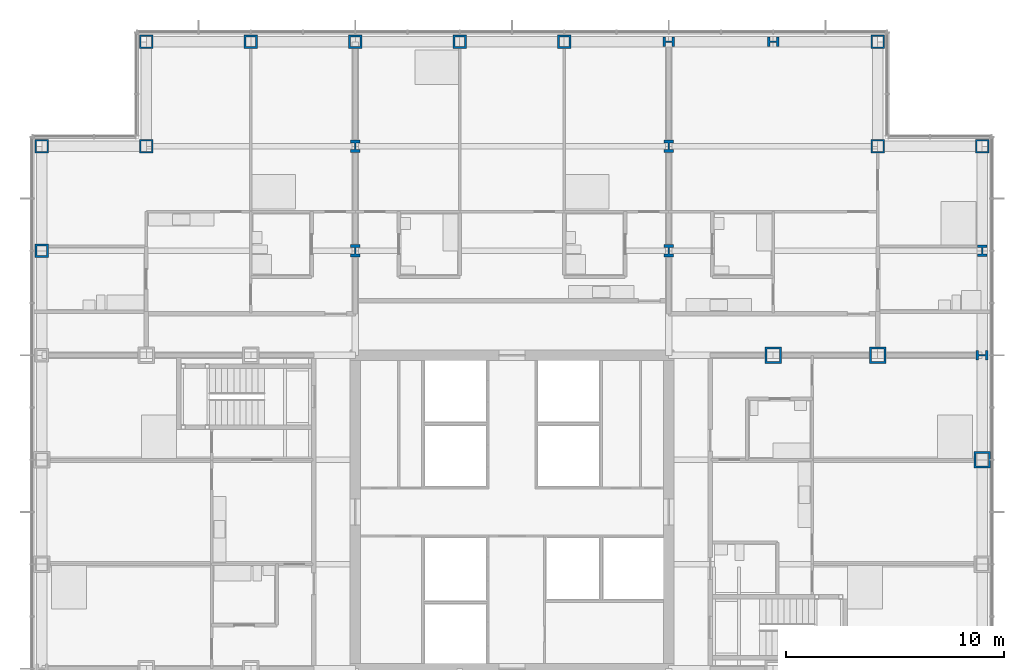
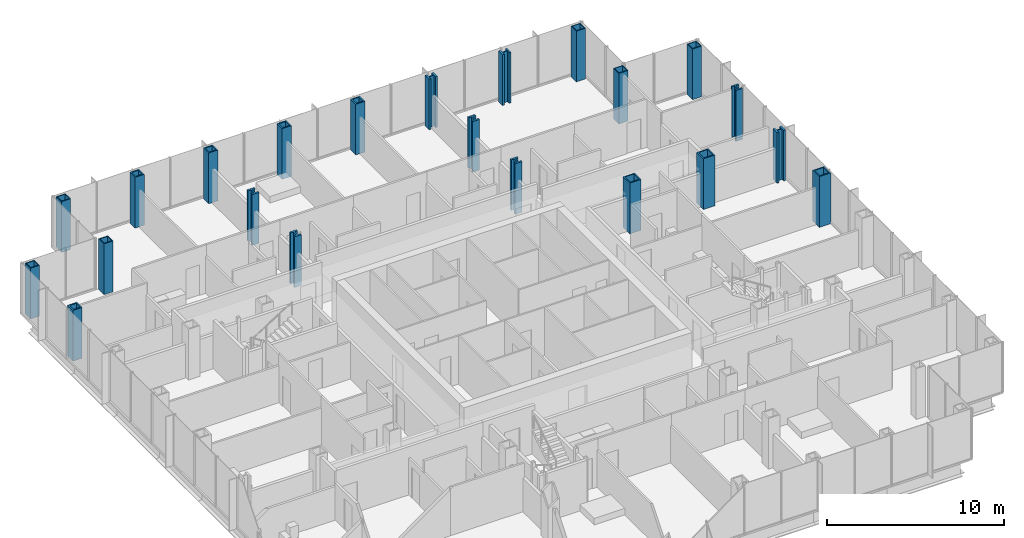
# One storey, part 5 of 21: 22 columns.
"""IFC4 building model written with IfcOpenShell, lengths in metres."""

from ifc_helpers import new_model, si_unit, direction, frame, origin, origin_2d, place, context, subcontext, project, spatial, hollow_rectangle, i_section, extrude, material, material_profile, profile_set, type_object, element, save


model = new_model("IFC4")

# Units and contexts
model_context = context("Model", 3, precision=1e-05, world=origin(), true_north=direction((0.0, 1.0)))
body_context = subcontext(model_context, "Body", "Model", "MODEL_VIEW")
ifc_project = project(units=[si_unit("LENGTHUNIT", "METRE"), si_unit("AREAUNIT", "SQUARE_METRE"), si_unit("VOLUMEUNIT", "CUBIC_METRE"), si_unit("PLANEANGLEUNIT", "RADIAN"), si_unit("MASSUNIT", "GRAM", prefix="KILO")], contexts=[model_context])

# Site, building, storey
site_placement = place(None, origin())
site = spatial("IfcSite", under=ifc_project, at=site_placement, CompositionType="ELEMENT")
building_placement = place(site_placement, origin())
building = spatial("IfcBuilding", under=site, at=building_placement, Name="Kvirike Care Tower", CompositionType="ELEMENT")
storey_placement = place(building_placement, frame((0.0, 0.0, 58.5)))
storey = spatial("IfcBuildingStorey", under=building, at=storey_placement, Name="L15", CompositionType="ELEMENT", Elevation=58.5)

# Columns
ifc_material_1 = material(Name="Steel S460", Category="steel")
ifc_material_profile_1 = material_profile(ifc_material_1, hollow_rectangle(XDim=0.60009765625, YDim=0.60009765625, WallThickness=0.050048828125, at=origin_2d()), Name="BX 600x600x50")
ifc_profile_set_1 = profile_set([ifc_material_profile_1], Name="Steel S460")
column_type_1 = type_object("IfcColumnType", Name="COLUMN BX 600x600x50", PredefinedType="COLUMN", material=ifc_profile_set_1)
for number, where, z_axis, x_axis, name in (
    (1, (38.39990234375, 52.800048828125, 0.0), (0.0, 0.0, 1.0), (0.0, 1.0, 0.0), "Column M11 L15"),
    (2, (38.39990234375, 57.60009765625, 0.0), (0.0, 0.0, 1.0), (0.0, 1.0, 0.0), "Column N11 L15"),
    (3, (43.199951171875, 52.800048828125, 0.0), (0.0, 0.0, 1.0), (0.0, 1.0, 0.0), "Column M12 L15"),
):
    element("IfcColumn", number, at=place(storey_placement, frame(where, z_axis=z_axis, x_axis=x_axis)), inside=storey, type_object=column_type_1, Name=name, PredefinedType="COLUMN", context=body_context, shape_type="SweptSolid", body=[
        extrude(hollow_rectangle(XDim=0.60009765625, YDim=0.60009765625, WallThickness=0.050048828125, at=origin_2d()), origin(), (0.0, 0.0, 1.0), 3.5),
    ])
ifc_material_2 = material(Name="Steel S460", Category="steel")
ifc_material_profile_2 = material_profile(ifc_material_2, hollow_rectangle(XDim=0.60009765625, YDim=0.60009765625, WallThickness=0.06005859375, at=origin_2d()), Name="BX 600x600x60")
ifc_profile_set_2 = profile_set([ifc_material_profile_2], Name="Steel S460")
column_type_2 = type_object("IfcColumnType", Name="COLUMN BX 600x600x60", PredefinedType="COLUMN", material=ifc_profile_set_2)
for number, where, z_axis, x_axis, name in (
    (4, (0.0, 52.800048828125, 0.0), (0.0, 0.0, 1.0), (0.0, 1.0, 0.0), "Column M3 L15"),
    (5, (4.800048828125, 52.800048828125, 0.0), (0.0, 0.0, 1.0), (0.0, 1.0, 0.0), "Column M4 L15"),
    (6, (4.800048828125, 57.60009765625, 0.0), (0.0, 0.0, 1.0), (0.0, 1.0, 0.0), "Column N4 L15"),
):
    element("IfcColumn", number, at=place(storey_placement, frame(where, z_axis=z_axis, x_axis=x_axis)), inside=storey, type_object=column_type_2, Name=name, PredefinedType="COLUMN", context=body_context, shape_type="SweptSolid", body=[
        extrude(hollow_rectangle(XDim=0.60009765625, YDim=0.60009765625, WallThickness=0.06005859375, at=origin_2d()), origin(), (0.0, 0.0, 1.0), 3.5),
    ])
ifc_material_3 = material(Name="Steel S460", Category="steel")
ifc_material_profile_3 = material_profile(ifc_material_3, hollow_rectangle(XDim=0.60009765625, YDim=0.60009765625, WallThickness=0.080078125, at=origin_2d()), Name="BX 600x600x80")
ifc_profile_set_3 = profile_set([ifc_material_profile_3], Name="Steel S460")
column_type_3 = type_object("IfcColumnType", Name="COLUMN BX 600x600x80", PredefinedType="COLUMN", material=ifc_profile_set_3)
for number, where, z_axis, x_axis, name in (
    (7, (0.0, 48.0, 0.0), (0.0, 0.0, 1.0), (1.0, 0.0, 0.0), "Column L3 L15"),
    (8, (9.60009765625, 57.60009765625, 0.0), (0.0, 0.0, 1.0), (0.0, 1.0, 0.0), "Column N5 L15"),
    (9, (14.39990234375, 57.60009765625, 0.0), (0.0, 0.0, 1.0), (0.0, 1.0, 0.0), "Column N6 L15"),
    (10, (19.199951171875, 57.60009765625, 0.0), (0.0, 0.0, 1.0), (0.0, 1.0, 0.0), "Column N7 L15"),
    (11, (24.0, 57.60009765625, 0.0), (0.0, 0.0, 1.0), (0.0, 1.0, 0.0), "Column N8 L15"),
):
    element("IfcColumn", number, at=place(storey_placement, frame(where, z_axis=z_axis, x_axis=x_axis)), inside=storey, type_object=column_type_3, Name=name, PredefinedType="COLUMN", context=body_context, shape_type="SweptSolid", body=[
        extrude(hollow_rectangle(XDim=0.60009765625, YDim=0.60009765625, WallThickness=0.080078125, at=origin_2d()), origin(), (0.0, 0.0, 1.0), 3.5),
    ])
ifc_material_4 = material(Name="Steel S460", Category="steel")
ifc_material_profile_4 = material_profile(ifc_material_4, hollow_rectangle(XDim=0.75, YDim=0.75, WallThickness=0.080078125, at=origin_2d()), Name="BX 750x750x80")
ifc_profile_set_4 = profile_set([ifc_material_profile_4], Name="Steel S460")
column_type_4 = type_object("IfcColumnType", Name="COLUMN BX 750x750x80", PredefinedType="COLUMN", material=ifc_profile_set_4)
for number, where, z_axis, x_axis, name in (
    (12, (33.60009765625, 43.199951171875, 0.0), (0.0, 0.0, 1.0), (0.0, 1.0, 0.0), "Column K10 L15"),
    (13, (38.39990234375, 43.199951171875, 0.0), (0.0, 0.0, 1.0), (0.0, 1.0, 0.0), "Column K11 L15"),
    (14, (43.199951171875, 38.39990234375, 0.0), (0.0, 0.0, 1.0), (1.0, 0.0, 0.0), "Column J12 L15"),
):
    element("IfcColumn", number, at=place(storey_placement, frame(where, z_axis=z_axis, x_axis=x_axis)), inside=storey, type_object=column_type_4, Name=name, PredefinedType="COLUMN", context=body_context, shape_type="SweptSolid", body=[
        extrude(hollow_rectangle(XDim=0.75, YDim=0.75, WallThickness=0.080078125, at=origin_2d()), origin(), (0.0, 0.0, 1.0), 3.5),
    ])
ifc_material_5 = material(Name="Steel S460", Category="steel")
ifc_material_profile_5 = material_profile(ifc_material_5, i_section(OverallWidth=0.4541015625, OverallDepth=0.569091796875, WebThickness=0.077880859375, FlangeThickness=0.125, FilletRadius=0.014892578125, at=origin_2d()), Name="HD 400x1086")
ifc_profile_set_5 = profile_set([ifc_material_profile_5], Name="Steel S460")
column_type_5 = type_object("IfcColumnType", Name="COLUMN HD 400x1086", PredefinedType="COLUMN", material=ifc_profile_set_5)
for number, where, z_axis, x_axis, name in (
    (15, (14.39990234375, 48.0, 0.0), (0.0, 0.0, 1.0), (1.0, 0.0, 0.0), "Column L6 L15"),
    (16, (14.39990234375, 52.800048828125, 0.0), (0.0, 0.0, 1.0), (1.0, 0.0, 0.0), "Column M6 L15"),
    (17, (28.800048828125, 48.0, 0.0), (0.0, 0.0, 1.0), (1.0, 0.0, 0.0), "Column L9 L15"),
    (18, (28.800048828125, 52.800048828125, 0.0), (0.0, 0.0, 1.0), (1.0, 0.0, 0.0), "Column M9 L15"),
):
    element("IfcColumn", number, at=place(storey_placement, frame(where, z_axis=z_axis, x_axis=x_axis)), inside=storey, type_object=column_type_5, Name=name, PredefinedType="COLUMN", context=body_context, shape_type="SweptSolid", body=[
        extrude(i_section(OverallWidth=0.4541015625, OverallDepth=0.569091796875, WebThickness=0.077880859375, FlangeThickness=0.125, FilletRadius=0.014892578125, at=origin_2d()), origin(), (0.0, 0.0, 1.0), 3.5),
    ])
ifc_material_6 = material(Name="Steel S460", Category="steel")
ifc_material_profile_6 = material_profile(ifc_material_6, i_section(OverallWidth=0.447998046875, OverallDepth=0.550048828125, WebThickness=0.072021484375, FlangeThickness=0.114990234375, FilletRadius=0.014892578125, at=origin_2d()), Name="HD 400x990")
ifc_profile_set_6 = profile_set([ifc_material_profile_6], Name="Steel S460")
column_type_6 = type_object("IfcColumnType", Name="COLUMN HD 400x990", PredefinedType="COLUMN", material=ifc_profile_set_6)
for number, where, z_axis, x_axis, name in (
    (19, (28.800048828125, 57.60009765625, 0.0), (0.0, 0.0, 1.0), (0.0, 1.0, 0.0), "Column N9 L15"),
    (20, (33.60009765625, 57.60009765625, 0.0), (0.0, 0.0, 1.0), (0.0, 1.0, 0.0), "Column N10 L15"),
    (21, (43.199951171875, 43.199951171875, 0.0), (0.0, 0.0, 1.0), (0.0, 1.0, 0.0), "Column K12 L15"),
    (22, (43.199951171875, 48.0, 0.0), (0.0, 0.0, 1.0), (1.0, 0.0, 0.0), "Column L12 L15"),
):
    element("IfcColumn", number, at=place(storey_placement, frame(where, z_axis=z_axis, x_axis=x_axis)), inside=storey, type_object=column_type_6, Name=name, PredefinedType="COLUMN", context=body_context, shape_type="SweptSolid", body=[
        extrude(i_section(OverallWidth=0.447998046875, OverallDepth=0.550048828125, WebThickness=0.072021484375, FlangeThickness=0.114990234375, FilletRadius=0.014892578125, at=origin_2d()), origin(), (0.0, 0.0, 1.0), 3.5),
    ])

save(model, "model.ifc")
